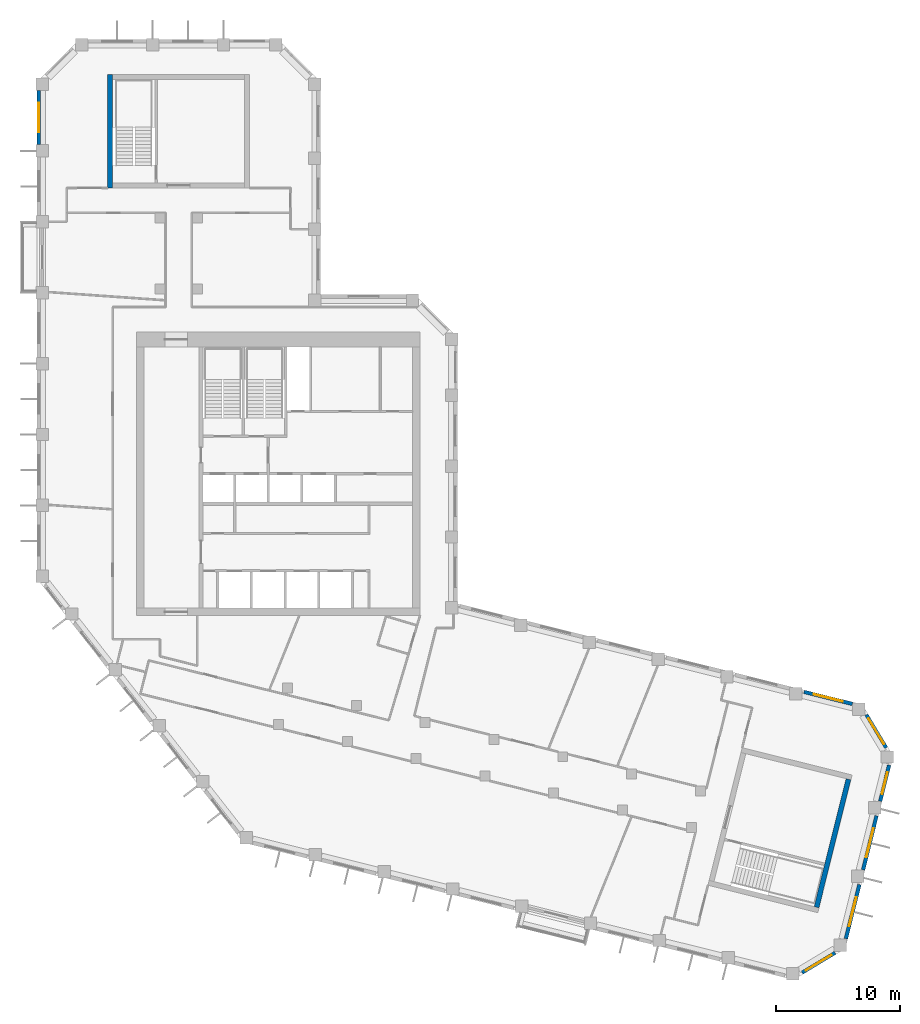
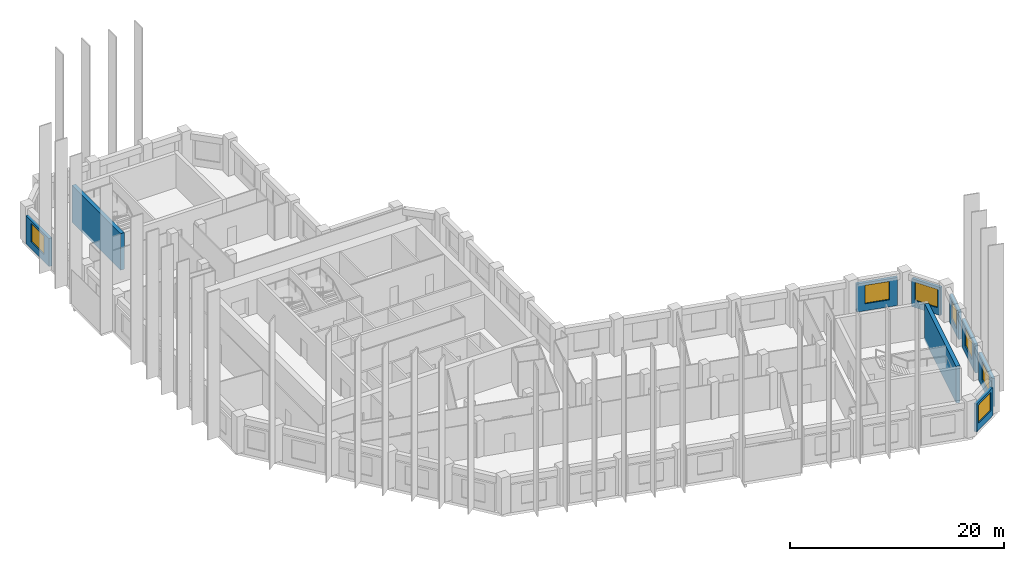
# One storey, part 7 of 9: 9 walls, 7 windows, 7 openings.
"""IFC4 building model written with IfcOpenShell, lengths in metres."""

from ifc_helpers import new_model, si_unit, direction, frame, frame_2d, origin, place, context, subcontext, project, spatial, rectangle, extrude, material, layer, layer_set, type_object, element, fill, save


model = new_model("IFC4")

# Units and contexts
model_context = context("Model", 3, precision=1e-05, world=origin(), true_north=direction((0.0, 1.0)))
body_context = subcontext(model_context, "Body", "Model", "MODEL_VIEW")
ifc_project = project(units=[si_unit("LENGTHUNIT", "METRE"), si_unit("AREAUNIT", "SQUARE_METRE"), si_unit("VOLUMEUNIT", "CUBIC_METRE"), si_unit("PLANEANGLEUNIT", "RADIAN"), si_unit("MASSUNIT", "GRAM", prefix="KILO")], contexts=[model_context])

# Site, building, storey
site_placement = place(None, origin())
site = spatial("IfcSite", under=ifc_project, at=site_placement, CompositionType="ELEMENT")
building_placement = place(site_placement, origin())
building = spatial("IfcBuilding", under=site, at=building_placement, Name="Meshkara Civic Tower", CompositionType="ELEMENT")
storey_placement = place(building_placement, frame((0.0, 0.0, 306.60009765625)))
storey = spatial("IfcBuildingStorey", under=building, at=storey_placement, Name="L70", CompositionType="ELEMENT", Elevation=306.60009765625)

# Wall, opening, window
ifc_material_1 = material(Name="Insulated infill panel with bronze anodised aluminium cladding", Category="aluminium")
ifc_layer_1 = layer(ifc_material_1, 0.300048828125)
ifc_layer_set_1 = layer_set([ifc_layer_1], Name="EXTERNAL INFILL WALL 300")
wall_type_1 = type_object("IfcWallType", Name="EXTERNAL INFILL WALL 300", PredefinedType="SOLIDWALL", material=ifc_layer_set_1)
wall_1_placement = place(storey_placement, frame((65.548095703125, 7.0, 0.0), z_axis=(0.0, 0.0, 1.0), x_axis=(-0.970260773365, 0.242062040951, 0.0)))
wall_1 = element("IfcWall", 1, at=wall_1_placement, inside=storey, type_object=wall_type_1, Name="External wall", PredefinedType="SOLIDWALL", context=body_context, shape_type="SweptSolid", body=[
    extrude(rectangle(XDim=4.003173828125, YDim=0.300048828125, at=frame_2d((2.00146484375, 0.0))), origin(), (0.0, 0.0, 1.0), 3.199951171875),
])
opening_1_placement = place(wall_1_placement, frame((0.801025390625, 0.0, 0.800048828125)))
opening_1 = element("IfcOpeningElement", 2, at=opening_1_placement, cuts=wall_1, Name="Opening W7", PredefinedType="OPENING", context=body_context, shape_type="SweptSolid", body=[
    extrude(rectangle(XDim=2.39990234375, YDim=2.10009765625, at=frame_2d((1.199951171875, 1.050048828125))), frame((0.0, 0.159912109375, 0.0), z_axis=(0.0, -1.0, 0.0), x_axis=(1.0, 0.0, 0.0)), (0.0, 0.0, 1.0), 0.320068359375),
])
ifc_material_2 = material(Name="Tinted double glazing", Category="glass")
window_type_1 = type_object("IfcWindowType", Name="WINDOW 2400x2100", PartitioningType="DOUBLE_PANEL_VERTICAL", PredefinedType="WINDOW", material=ifc_material_2)
window_1_placement = place(opening_1_placement, origin())
window_1 = element("IfcWindow", 3, at=window_1_placement, inside=storey, type_object=window_type_1, Name="Window", OverallHeight=2.10009765625, OverallWidth=2.39990234375, PartitioningType="DOUBLE_PANEL_VERTICAL", PredefinedType="WINDOW", context=body_context, shape_type="SweptSolid", body=[
    extrude(rectangle(XDim=2.39990234375, YDim=2.10009765625, at=frame_2d((1.199951171875, 1.050048828125))), frame((0.0, 0.030029296875, 0.0), z_axis=(0.0, -1.0, 0.0), x_axis=(1.0, 0.0, 0.0)), (0.0, 0.0, 1.0), 0.06005859375),
])
fill(opening_1, window_1)

wall_2_placement = place(storey_placement, frame((0.14990234375, 56.31396484375, 0.0), z_axis=(0.0, 0.0, 1.0), x_axis=(0.0, -1.0, 0.0)))
wall_2 = element("IfcWall", 4, at=wall_2_placement, inside=storey, type_object=wall_type_1, Name="External wall", PredefinedType="SOLIDWALL", context=body_context, shape_type="SweptSolid", body=[
    extrude(rectangle(XDim=4.35888671875, YDim=0.300048828125, at=frame_2d((2.179443359375, 0.0))), origin(), (0.0, 0.0, 1.0), 3.199951171875),
])
opening_2_placement = place(wall_2_placement, frame((0.97998046875, 0.0, 0.800048828125)))
opening_2 = element("IfcOpeningElement", 5, at=opening_2_placement, cuts=wall_2, Name="Opening W7", PredefinedType="OPENING", context=body_context, shape_type="SweptSolid", body=[
    extrude(rectangle(XDim=2.39990234375, YDim=2.10009765625, at=frame_2d((1.199951171875, 1.050048828125))), frame((0.0, 0.159912109375, 0.0), z_axis=(0.0, -1.0, 0.0), x_axis=(1.0, 0.0, 0.0)), (0.0, 0.0, 1.0), 0.320068359375),
])
window_2_placement = place(opening_2_placement, origin())
window_2 = element("IfcWindow", 6, at=window_2_placement, inside=storey, type_object=window_type_1, Name="Window", OverallHeight=2.10009765625, OverallWidth=2.39990234375, PartitioningType="DOUBLE_PANEL_VERTICAL", PredefinedType="WINDOW", context=body_context, shape_type="SweptSolid", body=[
    extrude(rectangle(XDim=2.39990234375, YDim=2.10009765625, at=frame_2d((1.199951171875, 1.050048828125))), frame((0.0, 0.030029296875, 0.0), z_axis=(0.0, -1.0, 0.0), x_axis=(1.0, 0.0, 0.0)), (0.0, 0.0, 1.0), 0.06005859375),
])
fill(opening_2, window_2)

wall_3_placement = place(storey_placement, frame((61.509033203125, -14.591064453125, 0.0), z_axis=(0.0, 0.0, 1.0), x_axis=(0.856969799001, 0.515366630275, 0.0)))
wall_3 = element("IfcWall", 7, at=wall_3_placement, inside=storey, type_object=wall_type_1, Name="External wall", PredefinedType="SOLIDWALL", context=body_context, shape_type="SweptSolid", body=[
    extrude(rectangle(XDim=3.091064453125, YDim=0.300048828125, at=frame_2d((1.54541015625, 0.0))), origin(), (0.0, 0.0, 1.0), 3.199951171875),
])
opening_3_placement = place(wall_3_placement, frame((0.344970703125, 0.0, 0.800048828125)))
opening_3 = element("IfcOpeningElement", 8, at=opening_3_placement, cuts=wall_3, Name="Opening W7", PredefinedType="OPENING", context=body_context, shape_type="SweptSolid", body=[
    extrude(rectangle(XDim=2.39990234375, YDim=2.10009765625, at=frame_2d((1.199951171875, 1.050048828125))), frame((0.0, 0.159912109375, 0.0), z_axis=(0.0, -1.0, 0.0), x_axis=(1.0, 0.0, 0.0)), (0.0, 0.0, 1.0), 0.320068359375),
])
window_3_placement = place(opening_3_placement, origin())
window_3 = element("IfcWindow", 9, at=window_3_placement, inside=storey, type_object=window_type_1, Name="Window", OverallHeight=2.10009765625, OverallWidth=2.39990234375, PartitioningType="DOUBLE_PANEL_VERTICAL", PredefinedType="WINDOW", context=body_context, shape_type="SweptSolid", body=[
    extrude(rectangle(XDim=2.39990234375, YDim=2.10009765625, at=frame_2d((1.199951171875, 1.050048828125))), frame((0.0, 0.030029296875, 0.0), z_axis=(0.0, -1.0, 0.0), x_axis=(1.0, 0.0, 0.0)), (0.0, 0.0, 1.0), 0.06005859375),
])
fill(opening_3, window_3)

wall_4_placement = place(storey_placement, frame((65.029052734375, -11.8720703125, 0.0), z_axis=(0.0, 0.0, 1.0), x_axis=(0.241946839653, 0.970289506684, 0.0)))
wall_4 = element("IfcWall", 10, at=wall_4_placement, inside=storey, type_object=wall_type_1, Name="External wall", PredefinedType="SOLIDWALL", context=body_context, shape_type="SweptSolid", body=[
    extrude(rectangle(XDim=4.48828125, YDim=0.300048828125, at=frame_2d((2.244140625, 0.0))), origin(), (0.0, 0.0, 1.0), 3.199951171875),
])
opening_4_placement = place(wall_4_placement, frame((1.0439453125, 0.0, 0.800048828125)))
opening_4 = element("IfcOpeningElement", 11, at=opening_4_placement, cuts=wall_4, Name="Opening W7", PredefinedType="OPENING", context=body_context, shape_type="SweptSolid", body=[
    extrude(rectangle(XDim=2.39990234375, YDim=2.10009765625, at=frame_2d((1.199951171875, 1.050048828125))), frame((0.0, 0.159912109375, 0.0), z_axis=(0.0, -1.0, 0.0), x_axis=(1.0, 0.0, 0.0)), (0.0, 0.0, 1.0), 0.320068359375),
])
window_4_placement = place(opening_4_placement, origin())
window_4 = element("IfcWindow", 12, at=window_4_placement, inside=storey, type_object=window_type_1, Name="Window", OverallHeight=2.10009765625, OverallWidth=2.39990234375, PartitioningType="DOUBLE_PANEL_VERTICAL", PredefinedType="WINDOW", context=body_context, shape_type="SweptSolid", body=[
    extrude(rectangle(XDim=2.39990234375, YDim=2.10009765625, at=frame_2d((1.199951171875, 1.050048828125))), frame((0.0, 0.030029296875, 0.0), z_axis=(0.0, -1.0, 0.0), x_axis=(1.0, 0.0, 0.0)), (0.0, 0.0, 1.0), 0.06005859375),
])
fill(opening_4, window_4)

wall_5_placement = place(storey_placement, frame((66.407958984375, -6.341064453125, 0.0), z_axis=(0.0, 0.0, 1.0), x_axis=(0.241997928406, 0.970276766004, 0.0)))
wall_5 = element("IfcWall", 13, at=wall_5_placement, inside=storey, type_object=wall_type_1, Name="External wall", PredefinedType="SOLIDWALL", context=body_context, shape_type="SweptSolid", body=[
    extrude(rectangle(XDim=4.4873046875, YDim=0.300048828125, at=frame_2d((2.24365234375, 0.0))), origin(), (0.0, 0.0, 1.0), 3.199951171875),
])
opening_5_placement = place(wall_5_placement, frame((1.0439453125, 0.0, 0.800048828125)))
opening_5 = element("IfcOpeningElement", 14, at=opening_5_placement, cuts=wall_5, Name="Opening W7", PredefinedType="OPENING", context=body_context, shape_type="SweptSolid", body=[
    extrude(rectangle(XDim=2.39990234375, YDim=2.10009765625, at=frame_2d((1.199951171875, 1.050048828125))), frame((0.0, 0.159912109375, 0.0), z_axis=(0.0, -1.0, 0.0), x_axis=(1.0, 0.0, 0.0)), (0.0, 0.0, 1.0), 0.320068359375),
])
window_5_placement = place(opening_5_placement, origin())
window_5 = element("IfcWindow", 15, at=window_5_placement, inside=storey, type_object=window_type_1, Name="Window", OverallHeight=2.10009765625, OverallWidth=2.39990234375, PartitioningType="DOUBLE_PANEL_VERTICAL", PredefinedType="WINDOW", context=body_context, shape_type="SweptSolid", body=[
    extrude(rectangle(XDim=2.39990234375, YDim=2.10009765625, at=frame_2d((1.199951171875, 1.050048828125))), frame((0.0, 0.030029296875, 0.0), z_axis=(0.0, -1.0, 0.0), x_axis=(1.0, 0.0, 0.0)), (0.0, 0.0, 1.0), 0.06005859375),
])
fill(opening_5, window_5)

wall_6_placement = place(storey_placement, frame((67.787109375, -0.81103515625, 0.0), z_axis=(0.0, 0.0, 1.0), x_axis=(0.242052773757, 0.970263085311, 0.0)))
wall_6 = element("IfcWall", 16, at=wall_6_placement, inside=storey, type_object=wall_type_1, Name="External wall", PredefinedType="SOLIDWALL", context=body_context, shape_type="SweptSolid", body=[
    extrude(rectangle(XDim=2.974365234375, YDim=0.300048828125, at=frame_2d((1.4873046875, 0.0))), origin(), (0.0, 0.0, 1.0), 3.199951171875),
])
opening_6_placement = place(wall_6_placement, frame((0.5869140625, 0.0, 0.800048828125)))
opening_6 = element("IfcOpeningElement", 17, at=opening_6_placement, cuts=wall_6, Name="Opening W9", PredefinedType="OPENING", context=body_context, shape_type="SweptSolid", body=[
    extrude(rectangle(XDim=1.800048828125, YDim=2.10009765625, at=frame_2d((0.89990234375, 1.050048828125))), frame((0.0, 0.159912109375, 0.0), z_axis=(0.0, -1.0, 0.0), x_axis=(1.0, 0.0, 0.0)), (0.0, 0.0, 1.0), 0.320068359375),
])
ifc_material_3 = material(Name="Tinted double glazing", Category="glass")
window_type_2 = type_object("IfcWindowType", Name="WINDOW 1800x2100", PartitioningType="DOUBLE_PANEL_VERTICAL", PredefinedType="WINDOW", material=ifc_material_3)
window_6_placement = place(opening_6_placement, origin())
window_6 = element("IfcWindow", 18, at=window_6_placement, inside=storey, type_object=window_type_2, Name="Window", OverallHeight=2.10009765625, OverallWidth=1.800048828125, PartitioningType="DOUBLE_PANEL_VERTICAL", PredefinedType="WINDOW", context=body_context, shape_type="SweptSolid", body=[
    extrude(rectangle(XDim=1.800048828125, YDim=2.10009765625, at=frame_2d((0.89990234375, 1.050048828125))), frame((0.0, 0.030029296875, 0.0), z_axis=(0.0, -1.0, 0.0), x_axis=(1.0, 0.0, 0.0)), (0.0, 0.0, 1.0), 0.06005859375),
])
fill(opening_6, window_6)

wall_7_placement = place(storey_placement, frame((68.26611328125, 3.47900390625, 0.0), z_axis=(0.0, 0.0, 1.0), x_axis=(-0.514995068029, 0.857193140375, 0.0)))
wall_7 = element("IfcWall", 19, at=wall_7_placement, inside=storey, type_object=wall_type_1, Name="External wall", PredefinedType="SOLIDWALL", context=body_context, shape_type="SweptSolid", body=[
    extrude(rectangle(XDim=3.09130859375, YDim=0.300048828125, at=frame_2d((1.545654296875, 0.0))), origin(), (0.0, 0.0, 1.0), 3.199951171875),
])
opening_7_placement = place(wall_7_placement, frame((0.345947265625, 0.0, 0.800048828125)))
opening_7 = element("IfcOpeningElement", 20, at=opening_7_placement, cuts=wall_7, Name="Opening W7", PredefinedType="OPENING", context=body_context, shape_type="SweptSolid", body=[
    extrude(rectangle(XDim=2.39990234375, YDim=2.10009765625, at=frame_2d((1.199951171875, 1.050048828125))), frame((0.0, 0.159912109375, 0.0), z_axis=(0.0, -1.0, 0.0), x_axis=(1.0, 0.0, 0.0)), (0.0, 0.0, 1.0), 0.320068359375),
])
window_7_placement = place(opening_7_placement, origin())
window_7 = element("IfcWindow", 21, at=window_7_placement, inside=storey, type_object=window_type_1, Name="Window", OverallHeight=2.10009765625, OverallWidth=2.39990234375, PartitioningType="DOUBLE_PANEL_VERTICAL", PredefinedType="WINDOW", context=body_context, shape_type="SweptSolid", body=[
    extrude(rectangle(XDim=2.39990234375, YDim=2.10009765625, at=frame_2d((1.199951171875, 1.050048828125))), frame((0.0, 0.030029296875, 0.0), z_axis=(0.0, -1.0, 0.0), x_axis=(1.0, 0.0, 0.0)), (0.0, 0.0, 1.0), 0.06005859375),
])
fill(opening_7, window_7)

# Walls
ifc_material_4 = material(Name="Concrete C60", Category="concrete")
ifc_layer_2 = layer(ifc_material_4, 0.39990234375)
ifc_layer_set_2 = layer_set([ifc_layer_2], Name="End core ring wall 400 C60")
wall_type_2 = type_object("IfcWallType", Name="End core ring wall 400 C60", PredefinedType="SHEAR", material=ifc_layer_set_2)
wall_8_placement = place(storey_placement, frame((5.89990234375, 48.469970703125, -0.300048828125), z_axis=(0.0, 0.0, 1.0), x_axis=(0.0, 1.0, 0.0)))
element("IfcWall", 22, at=wall_8_placement, inside=storey, type_object=wall_type_2, Name="L70-C027", PredefinedType="SHEAR", context=body_context, shape_type="SweptSolid", body=[
    extrude(rectangle(XDim=9.10009765625, YDim=0.39990234375, at=frame_2d((4.550048828125, 0.0))), origin(), (0.0, 0.0, 1.0), 4.199951171875),
])
wall_9_placement = place(storey_placement, frame((62.672119140625, -9.339111328125, -0.300048828125), z_axis=(0.0, 0.0, 1.0), x_axis=(0.241971982666, 0.970283236795, 0.0)))
element("IfcWall", 23, at=wall_9_placement, inside=storey, type_object=wall_type_2, Name="L70-C035", PredefinedType="SHEAR", context=body_context, shape_type="SweptSolid", body=[
    extrude(rectangle(XDim=10.60009765625, YDim=0.39990234375, at=frame_2d((5.300048828125, 0.0))), origin(), (0.0, 0.0, 1.0), 4.199951171875),
])

save(model, "model.ifc")
